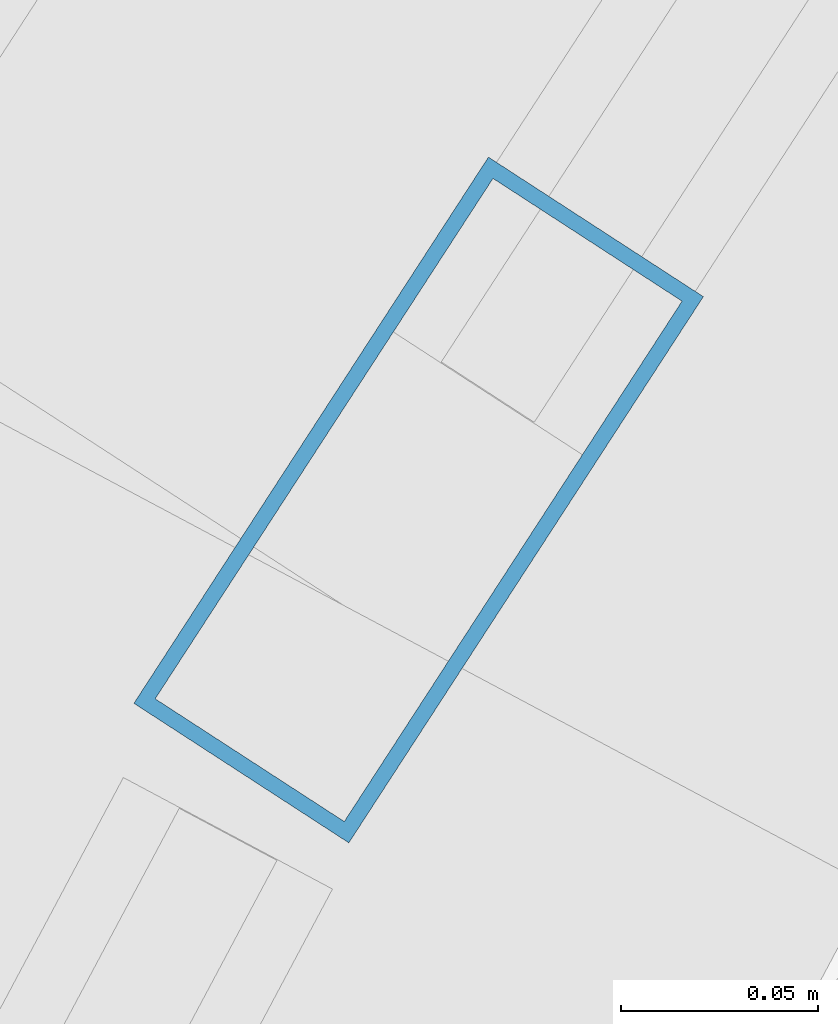
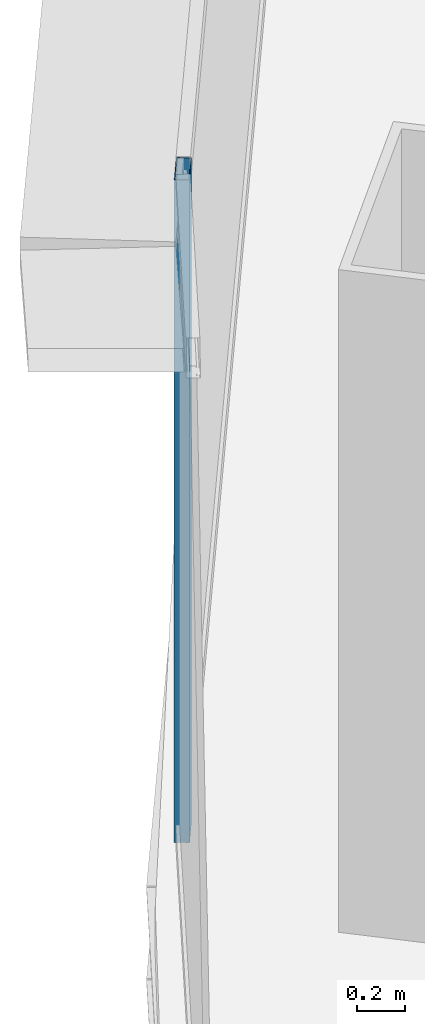
# One storey, part 16 of 37: 1 member, 1 element without a shape of its own.
"""IFC4 building model written with IfcOpenShell, lengths in metres."""

from ifc_helpers import new_model, si_unit, direction, frame, origin, origin_2d, place, context, subcontext, project, spatial, hollow_rectangle, extrude, source, transform, mapped, material, layer, layer_set, material_profile, profile_set, type_object, element, aggregate, save


model = new_model("IFC4")

# Units and contexts
model_context = context("Model", 3, precision=1e-05, world=origin(), true_north=direction((0.0, 1.0)))
body_context = subcontext(model_context, "Body", "Model", "MODEL_VIEW")
ifc_project = project(units=[si_unit("LENGTHUNIT", "METRE"), si_unit("AREAUNIT", "SQUARE_METRE"), si_unit("VOLUMEUNIT", "CUBIC_METRE"), si_unit("PLANEANGLEUNIT", "RADIAN"), si_unit("MASSUNIT", "GRAM", prefix="KILO"), si_unit("THERMODYNAMICTEMPERATUREUNIT", "KELVIN"), si_unit("POWERUNIT", "WATT")], contexts=[model_context])

# Site, building, storey
site_placement = place(None, origin())
site = spatial("IfcSite", under=ifc_project, at=site_placement, CompositionType="ELEMENT")
building_placement = place(site_placement, origin())
building = spatial("IfcBuilding", under=site, at=building_placement, Name="Yunzhuo Pagoda Commons", CompositionType="ELEMENT")
storey_placement = place(building_placement, frame((0.0, 0.0, 55.81005859375)))
storey = spatial("IfcBuildingStorey", under=building, at=storey_placement, Name="L14", CompositionType="ELEMENT", Elevation=55.81005859375)

# Curtain wall, member
ifc_material = material(Name="Anodized aluminium 6063-T6", Category="aluminium")
ifc_layer = layer(ifc_material, 0.1650390625)
ifc_layer_set = layer_set([ifc_layer], Name="Anodized aluminium 6063-T6")
curtain_wall_type = type_object("IfcCurtainWallType", Name="CW-LOW Low-Zone Ribbon Curtain Wall", PredefinedType="NOTDEFINED", material=ifc_layer_set)
curtain_wall_placement = place(storey_placement, origin())
curtain_wall = element("IfcCurtainWall", 1, at=curtain_wall_placement, inside=storey, type_object=curtain_wall_type, Name="L14 curtain wall CW-L14-F3B2", PredefinedType="NOTDEFINED")
ifc_material_profile = material_profile(ifc_material, hollow_rectangle(XDim=0.06494140625, YDim=0.1650390625, WallThickness=0.00390625, at=origin_2d()), Name="Anodized aluminium 6063-T6")
ifc_profile_set = profile_set([ifc_material_profile], Name="Anodized aluminium 6063-T6")
member_type = type_object("IfcMemberType", Name="CW-LOW-M Mullion RHS 165x65x4", PredefinedType="MULLION", material=ifc_profile_set)
shared_shape = source(origin(), body_context, "Body", "SweptSolid", [
    extrude(hollow_rectangle(XDim=0.06494140625, YDim=0.1650390625, WallThickness=0.00390625, at=origin_2d()), origin(), (0.0, 0.0, 1.0), 3.369873046875),
])
member_placement = place(storey_placement, frame((21.379638671875, 57.71240234375, 0.0), z_axis=(0.0, 0.0, 1.0), x_axis=(0.838776712394, -0.544475552018, 0.0)))
member = element("IfcMember", 2, at=member_placement, type_object=member_type, Name="CW mullion 2", PredefinedType="MULLION", context=body_context, shape_type="MappedRepresentation", body=[
    mapped(shared_shape, transform((0.0, 0.0, 0.0), scale=1.0)),
])
aggregate(curtain_wall, [member])

save(model, "model.ifc")
